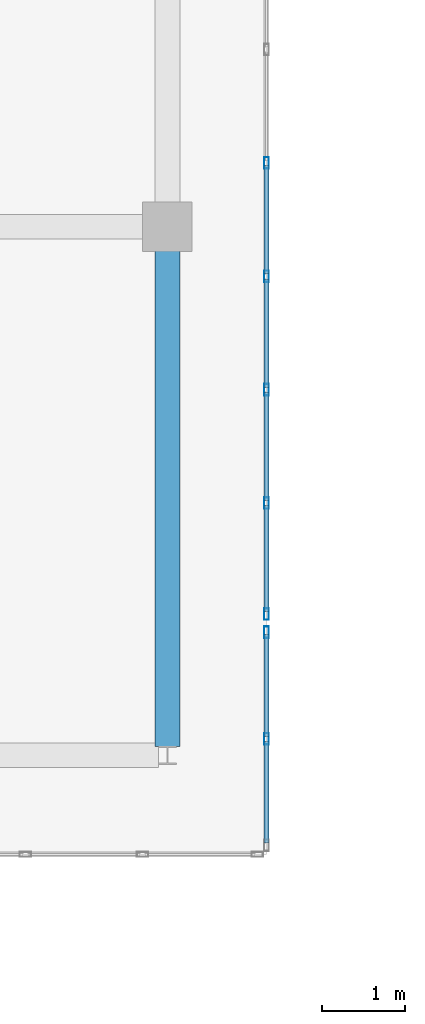
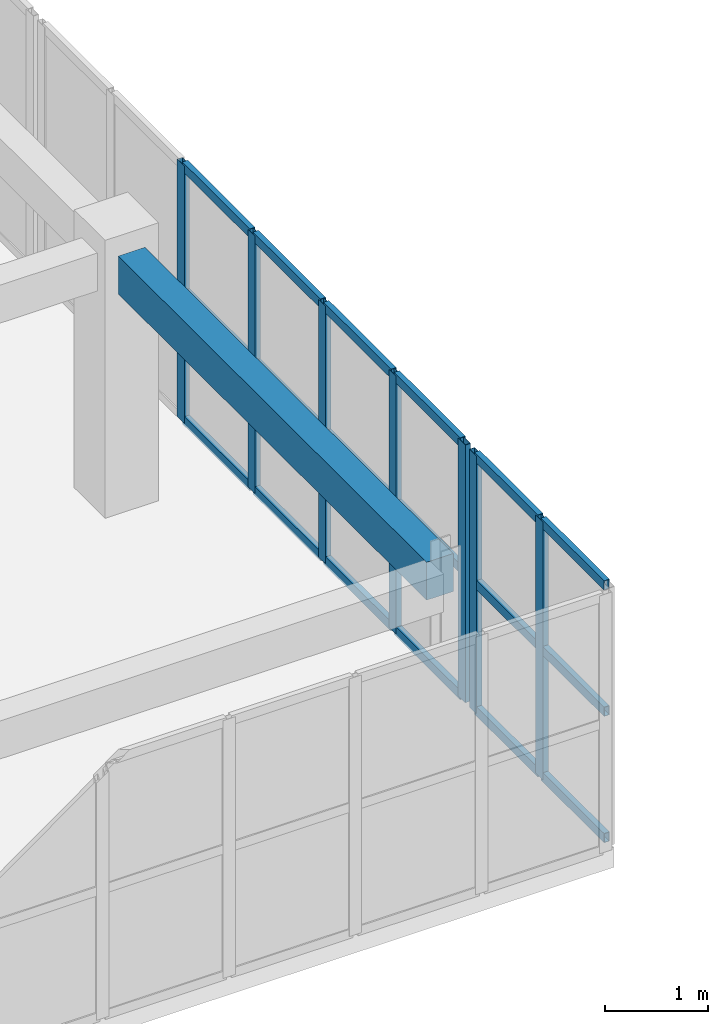
# One storey, part 69 of 200: 25 members, 1 beam, 2 elements without a shape of their own.
"""IFC4 building model written with IfcOpenShell, lengths in metres."""

from ifc_helpers import new_model, si_unit, direction, frame, origin, origin_2d, place, context, subcontext, project, spatial, rectangle, hollow_rectangle, extrude, material, layer, layer_set, material_profile, profile_set, type_object, element, aggregate, save


model = new_model("IFC4")

# Units and contexts
model_context = context("Model", 3, precision=1e-05, world=origin(), true_north=direction((0.0, 1.0)))
body_context = subcontext(model_context, "Body", "Model", "MODEL_VIEW")
ifc_project = project(units=[si_unit("LENGTHUNIT", "METRE"), si_unit("AREAUNIT", "SQUARE_METRE"), si_unit("VOLUMEUNIT", "CUBIC_METRE"), si_unit("PLANEANGLEUNIT", "RADIAN"), si_unit("MASSUNIT", "GRAM", prefix="KILO")], contexts=[model_context])

# Site, building, storey
site_placement = place(None, origin())
site = spatial("IfcSite", under=ifc_project, at=site_placement, CompositionType="ELEMENT")
building_placement = place(site_placement, origin())
building = spatial("IfcBuilding", under=site, at=building_placement, Name="Trelvath General Hospital", CompositionType="ELEMENT")
storey_placement = place(building_placement, frame((0.0, 0.0, 4.800048828125)))
storey = spatial("IfcBuildingStorey", under=building, at=storey_placement, Name="L01", CompositionType="ELEMENT", Elevation=4.800048828125)

# Beam
ifc_material_1 = material(Name="Concrete C35/45", Category="concrete")
ifc_material_profile_1 = material_profile(ifc_material_1, rectangle(XDim=0.300048828125, YDim=0.449951171875, at=origin_2d()), Name="RCB300x450")
ifc_profile_set_1 = profile_set([ifc_material_profile_1], Name="Concrete C35/45")
beam_type = type_object("IfcBeamType", Name="Beam RC300x450", PredefinedType="BEAM", material=ifc_profile_set_1)
beam_placement = place(storey_placement, frame((120.0, 32.10595703125, 2.8349609375), z_axis=(0.0, 1.0, 0.0), x_axis=(-1.0, 0.0, 0.0)))
element("IfcBeam", 1, at=beam_placement, inside=storey, type_object=beam_type, Name="Cube Interior Ring Beam CUBE-E-T0 L01", PredefinedType="BEAM", context=body_context, shape_type="SweptSolid", body=[
    extrude(rectangle(XDim=0.300048828125, YDim=0.449951171875, at=origin_2d()), origin(), (0.0, 0.0, 1.0), 5.998046875),
])

# Curtain wall, members
ifc_material_2 = material(Name="Anodised aluminium and low-E glass", Category="aluminium")
ifc_layer_1 = layer(ifc_material_2, 0.14990234375)
ifc_layer_set_1 = layer_set([ifc_layer_1], Name="Anodised aluminium and low-E glass")
curtain_wall_type_1 = type_object("IfcCurtainWallType", Name="CW CrystalCube 264 306 15", PredefinedType="USERDEFINED", material=ifc_layer_set_1)
curtain_wall_1_placement = place(storey_placement, origin())
curtain_wall_1 = element("IfcCurtainWall", 2, at=curtain_wall_1_placement, inside=storey, type_object=curtain_wall_type_1, Name="Crystal Cube Curtain Wall CUBE-E-T0 E1 L01", ObjectType="Unitised Glazed Curtain Wall", PredefinedType="USERDEFINED")
ifc_material_3 = material(Name="Anodised aluminium", Category="aluminium")
ifc_material_profile_2 = material_profile(ifc_material_3, hollow_rectangle(XDim=0.06005859375, YDim=0.139892578125, WallThickness=0.00390625, at=origin_2d()), Name="RHS60x140x4")
ifc_profile_set_2 = profile_set([ifc_material_profile_2], Name="Anodised aluminium")
member_type_1 = type_object("IfcMemberType", Name="CurtainMullion 60x140", PredefinedType="MULLION", material=ifc_profile_set_2)
member_1_placement = place(storey_placement, frame((121.199951171875, 33.489990234375, 0.0), z_axis=(0.0, 0.0, 1.0), x_axis=(1.0, 0.0, 0.0)))
member_1 = element("IfcMember", 3, at=member_1_placement, type_object=member_type_1, Name="CW-160 mullion 1", PredefinedType="MULLION", context=body_context, shape_type="SweptSolid", body=[
    extrude(hollow_rectangle(XDim=0.06005859375, YDim=0.139892578125, WallThickness=0.00390625, at=origin_2d()), origin(), (0.0, 0.0, 1.0), 3.06005859375),
])
member_2_placement = place(storey_placement, frame((121.199951171875, 32.199951171875, 0.0), z_axis=(0.0, 0.0, 1.0), x_axis=(1.0, 0.0, 0.0)))
member_2 = element("IfcMember", 4, at=member_2_placement, type_object=member_type_1, Name="CW-160 mullion 2", PredefinedType="MULLION", context=body_context, shape_type="SweptSolid", body=[
    extrude(hollow_rectangle(XDim=0.06005859375, YDim=0.139892578125, WallThickness=0.00390625, at=origin_2d()), origin(), (0.0, 0.0, 1.0), 3.06005859375),
])

ifc_material_4 = material(Name="Anodised aluminium and low-E glass", Category="aluminium")
ifc_layer_2 = layer(ifc_material_4, 0.14990234375)
ifc_layer_set_2 = layer_set([ifc_layer_2], Name="Anodised aluminium and low-E glass")
curtain_wall_type_2 = type_object("IfcCurtainWallType", Name="CW CrystalCube 824 306 15", PredefinedType="USERDEFINED", material=ifc_layer_set_2)
curtain_wall_2_placement = place(storey_placement, origin())
curtain_wall_2 = element("IfcCurtainWall", 5, at=curtain_wall_2_placement, inside=storey, type_object=curtain_wall_type_2, Name="Crystal Cube Curtain Wall CUBE-E-T0 E2 L01", ObjectType="Unitised Glazed Curtain Wall", PredefinedType="USERDEFINED")
member_3_placement = place(storey_placement, frame((121.199951171875, 39.17333984375, 0.0), z_axis=(0.0, 0.0, 1.0), x_axis=(1.0, 0.0, 0.0)))
member_3 = element("IfcMember", 6, at=member_3_placement, type_object=member_type_1, Name="CW-162 mullion 3", PredefinedType="MULLION", context=body_context, shape_type="SweptSolid", body=[
    extrude(hollow_rectangle(XDim=0.06005859375, YDim=0.139892578125, WallThickness=0.00390625, at=origin_2d()), origin(), (0.0, 0.0, 1.0), 3.06005859375),
])
member_4_placement = place(storey_placement, frame((121.199951171875, 37.800048828125, 0.0), z_axis=(0.0, 0.0, 1.0), x_axis=(1.0, 0.0, 0.0)))
member_4 = element("IfcMember", 7, at=member_4_placement, type_object=member_type_1, Name="CW-162 mullion 4", PredefinedType="MULLION", context=body_context, shape_type="SweptSolid", body=[
    extrude(hollow_rectangle(XDim=0.06005859375, YDim=0.139892578125, WallThickness=0.00390625, at=origin_2d()), origin(), (0.0, 0.0, 1.0), 3.06005859375),
])
member_5_placement = place(storey_placement, frame((121.199951171875, 36.4267578125, 0.0), z_axis=(0.0, 0.0, 1.0), x_axis=(1.0, 0.0, 0.0)))
member_5 = element("IfcMember", 8, at=member_5_placement, type_object=member_type_1, Name="CW-162 mullion 5", PredefinedType="MULLION", context=body_context, shape_type="SweptSolid", body=[
    extrude(hollow_rectangle(XDim=0.06005859375, YDim=0.139892578125, WallThickness=0.00390625, at=origin_2d()), origin(), (0.0, 0.0, 1.0), 3.06005859375),
])
member_6_placement = place(storey_placement, frame((121.199951171875, 35.05322265625, 0.0), z_axis=(0.0, 0.0, 1.0), x_axis=(1.0, 0.0, 0.0)))
member_6 = element("IfcMember", 9, at=member_6_placement, type_object=member_type_1, Name="CW-162 mullion 6", PredefinedType="MULLION", context=body_context, shape_type="SweptSolid", body=[
    extrude(hollow_rectangle(XDim=0.06005859375, YDim=0.139892578125, WallThickness=0.00390625, at=origin_2d()), origin(), (0.0, 0.0, 1.0), 3.06005859375),
])
member_7_placement = place(storey_placement, frame((121.199951171875, 33.7099609375, 0.0), z_axis=(0.0, 0.0, 1.0), x_axis=(1.0, 0.0, 0.0)))
member_7 = element("IfcMember", 10, at=member_7_placement, type_object=member_type_1, Name="CW-162 mullion 7", PredefinedType="MULLION", context=body_context, shape_type="SweptSolid", body=[
    extrude(hollow_rectangle(XDim=0.06005859375, YDim=0.139892578125, WallThickness=0.00390625, at=origin_2d()), origin(), (0.0, 0.0, 1.0), 3.06005859375),
])

# Member
ifc_material_5 = material(Name="Anodised aluminium", Category="aluminium")
ifc_material_profile_3 = material_profile(ifc_material_5, hollow_rectangle(XDim=0.06005859375, YDim=0.110107421875, WallThickness=0.00390625, at=origin_2d()), Name="RHS60x110x4")
ifc_profile_set_3 = profile_set([ifc_material_profile_3], Name="Anodised aluminium")
member_type_2 = type_object("IfcMemberType", Name="CurtainTransom 60x110", PredefinedType="USERDEFINED", material=ifc_profile_set_3)
member_8_placement = place(storey_placement, frame((121.199951171875, 33.4599609375, 0.030029296875), z_axis=(0.0, -1.0, 0.0), x_axis=(1.0, 0.0, 0.0)))
member_8 = element("IfcMember", 11, at=member_8_placement, type_object=member_type_2, Name="CW-160 transom 1.1", ObjectType="TRANSOM", PredefinedType="USERDEFINED", context=body_context, shape_type="SweptSolid", body=[
    extrude(hollow_rectangle(XDim=0.06005859375, YDim=0.110107421875, WallThickness=0.00390625, at=origin_2d()), origin(), (0.0, 0.0, 1.0), 1.22998046875),
])

member_9_placement = place(storey_placement, frame((121.199951171875, 33.4599609375, 1.530029296875), z_axis=(0.0, -1.0, 0.0), x_axis=(1.0, 0.0, 0.0)))
member_9 = element("IfcMember", 12, at=member_9_placement, type_object=member_type_2, Name="CW-160 transom 1.2", ObjectType="TRANSOM", PredefinedType="USERDEFINED", context=body_context, shape_type="SweptSolid", body=[
    extrude(hollow_rectangle(XDim=0.06005859375, YDim=0.110107421875, WallThickness=0.00390625, at=origin_2d()), origin(), (0.0, 0.0, 1.0), 1.22998046875),
])

member_10_placement = place(storey_placement, frame((121.199951171875, 33.4599609375, 3.030029296875), z_axis=(0.0, -1.0, 0.0), x_axis=(1.0, 0.0, 0.0)))
member_10 = element("IfcMember", 13, at=member_10_placement, type_object=member_type_2, Name="CW-160 transom 1.3", ObjectType="TRANSOM", PredefinedType="USERDEFINED", context=body_context, shape_type="SweptSolid", body=[
    extrude(hollow_rectangle(XDim=0.06005859375, YDim=0.110107421875, WallThickness=0.00390625, at=origin_2d()), origin(), (0.0, 0.0, 1.0), 1.22998046875),
])

member_11_placement = place(storey_placement, frame((121.199951171875, 32.169921875, 0.030029296875), z_axis=(0.0, -1.0, 0.0), x_axis=(1.0, 0.0, 0.0)))
member_11 = element("IfcMember", 14, at=member_11_placement, type_object=member_type_2, Name="CW-160 transom 2.1", ObjectType="TRANSOM", PredefinedType="USERDEFINED", context=body_context, shape_type="SweptSolid", body=[
    extrude(hollow_rectangle(XDim=0.06005859375, YDim=0.110107421875, WallThickness=0.00390625, at=origin_2d()), origin(), (0.0, 0.0, 1.0), 1.22998046875),
])

member_12_placement = place(storey_placement, frame((121.199951171875, 32.169921875, 1.530029296875), z_axis=(0.0, -1.0, 0.0), x_axis=(1.0, 0.0, 0.0)))
member_12 = element("IfcMember", 15, at=member_12_placement, type_object=member_type_2, Name="CW-160 transom 2.2", ObjectType="TRANSOM", PredefinedType="USERDEFINED", context=body_context, shape_type="SweptSolid", body=[
    extrude(hollow_rectangle(XDim=0.06005859375, YDim=0.110107421875, WallThickness=0.00390625, at=origin_2d()), origin(), (0.0, 0.0, 1.0), 1.22998046875),
])

member_13_placement = place(storey_placement, frame((121.199951171875, 32.169921875, 3.030029296875), z_axis=(0.0, -1.0, 0.0), x_axis=(1.0, 0.0, 0.0)))
member_13 = element("IfcMember", 16, at=member_13_placement, type_object=member_type_2, Name="CW-160 transom 2.3", ObjectType="TRANSOM", PredefinedType="USERDEFINED", context=body_context, shape_type="SweptSolid", body=[
    extrude(hollow_rectangle(XDim=0.06005859375, YDim=0.110107421875, WallThickness=0.00390625, at=origin_2d()), origin(), (0.0, 0.0, 1.0), 1.22998046875),
])

aggregate(curtain_wall_1, [member_1, member_2, member_8, member_9, member_10, member_11, member_12, member_13])

member_14_placement = place(storey_placement, frame((121.199951171875, 39.143310546875, 0.030029296875), z_axis=(0.0, -1.0, 0.0), x_axis=(1.0, 0.0, 0.0)))
member_14 = element("IfcMember", 17, at=member_14_placement, type_object=member_type_2, Name="CW-162 transom 3.1", ObjectType="TRANSOM", PredefinedType="USERDEFINED", context=body_context, shape_type="SweptSolid", body=[
    extrude(hollow_rectangle(XDim=0.06005859375, YDim=0.110107421875, WallThickness=0.00390625, at=origin_2d()), origin(), (0.0, 0.0, 1.0), 1.313232421875),
])

member_15_placement = place(storey_placement, frame((121.199951171875, 39.143310546875, 1.530029296875), z_axis=(0.0, -1.0, 0.0), x_axis=(1.0, 0.0, 0.0)))
member_15 = element("IfcMember", 18, at=member_15_placement, type_object=member_type_2, Name="CW-162 transom 3.2", ObjectType="TRANSOM", PredefinedType="USERDEFINED", context=body_context, shape_type="SweptSolid", body=[
    extrude(hollow_rectangle(XDim=0.06005859375, YDim=0.110107421875, WallThickness=0.00390625, at=origin_2d()), origin(), (0.0, 0.0, 1.0), 1.313232421875),
])

member_16_placement = place(storey_placement, frame((121.199951171875, 39.143310546875, 3.030029296875), z_axis=(0.0, -1.0, 0.0), x_axis=(1.0, 0.0, 0.0)))
member_16 = element("IfcMember", 19, at=member_16_placement, type_object=member_type_2, Name="CW-162 transom 3.3", ObjectType="TRANSOM", PredefinedType="USERDEFINED", context=body_context, shape_type="SweptSolid", body=[
    extrude(hollow_rectangle(XDim=0.06005859375, YDim=0.110107421875, WallThickness=0.00390625, at=origin_2d()), origin(), (0.0, 0.0, 1.0), 1.313232421875),
])

member_17_placement = place(storey_placement, frame((121.199951171875, 37.77001953125, 0.030029296875), z_axis=(0.0, -1.0, 0.0), x_axis=(1.0, 0.0, 0.0)))
member_17 = element("IfcMember", 20, at=member_17_placement, type_object=member_type_2, Name="CW-162 transom 4.1", ObjectType="TRANSOM", PredefinedType="USERDEFINED", context=body_context, shape_type="SweptSolid", body=[
    extrude(hollow_rectangle(XDim=0.06005859375, YDim=0.110107421875, WallThickness=0.00390625, at=origin_2d()), origin(), (0.0, 0.0, 1.0), 1.313232421875),
])

member_18_placement = place(storey_placement, frame((121.199951171875, 37.77001953125, 1.530029296875), z_axis=(0.0, -1.0, 0.0), x_axis=(1.0, 0.0, 0.0)))
member_18 = element("IfcMember", 21, at=member_18_placement, type_object=member_type_2, Name="CW-162 transom 4.2", ObjectType="TRANSOM", PredefinedType="USERDEFINED", context=body_context, shape_type="SweptSolid", body=[
    extrude(hollow_rectangle(XDim=0.06005859375, YDim=0.110107421875, WallThickness=0.00390625, at=origin_2d()), origin(), (0.0, 0.0, 1.0), 1.313232421875),
])

member_19_placement = place(storey_placement, frame((121.199951171875, 37.77001953125, 3.030029296875), z_axis=(0.0, -1.0, 0.0), x_axis=(1.0, 0.0, 0.0)))
member_19 = element("IfcMember", 22, at=member_19_placement, type_object=member_type_2, Name="CW-162 transom 4.3", ObjectType="TRANSOM", PredefinedType="USERDEFINED", context=body_context, shape_type="SweptSolid", body=[
    extrude(hollow_rectangle(XDim=0.06005859375, YDim=0.110107421875, WallThickness=0.00390625, at=origin_2d()), origin(), (0.0, 0.0, 1.0), 1.313232421875),
])

member_20_placement = place(storey_placement, frame((121.199951171875, 36.396728515625, 0.030029296875), z_axis=(0.0, -1.0, 0.0), x_axis=(1.0, 0.0, 0.0)))
member_20 = element("IfcMember", 23, at=member_20_placement, type_object=member_type_2, Name="CW-162 transom 5.1", ObjectType="TRANSOM", PredefinedType="USERDEFINED", context=body_context, shape_type="SweptSolid", body=[
    extrude(hollow_rectangle(XDim=0.06005859375, YDim=0.110107421875, WallThickness=0.00390625, at=origin_2d()), origin(), (0.0, 0.0, 1.0), 1.3134765625),
])

member_21_placement = place(storey_placement, frame((121.199951171875, 36.396728515625, 1.530029296875), z_axis=(0.0, -1.0, 0.0), x_axis=(1.0, 0.0, 0.0)))
member_21 = element("IfcMember", 24, at=member_21_placement, type_object=member_type_2, Name="CW-162 transom 5.2", ObjectType="TRANSOM", PredefinedType="USERDEFINED", context=body_context, shape_type="SweptSolid", body=[
    extrude(hollow_rectangle(XDim=0.06005859375, YDim=0.110107421875, WallThickness=0.00390625, at=origin_2d()), origin(), (0.0, 0.0, 1.0), 1.3134765625),
])

member_22_placement = place(storey_placement, frame((121.199951171875, 36.396728515625, 3.030029296875), z_axis=(0.0, -1.0, 0.0), x_axis=(1.0, 0.0, 0.0)))
member_22 = element("IfcMember", 25, at=member_22_placement, type_object=member_type_2, Name="CW-162 transom 5.3", ObjectType="TRANSOM", PredefinedType="USERDEFINED", context=body_context, shape_type="SweptSolid", body=[
    extrude(hollow_rectangle(XDim=0.06005859375, YDim=0.110107421875, WallThickness=0.00390625, at=origin_2d()), origin(), (0.0, 0.0, 1.0), 1.3134765625),
])

member_23_placement = place(storey_placement, frame((121.199951171875, 35.0234375, 0.030029296875), z_axis=(0.0, -1.0, 0.0), x_axis=(1.0, 0.0, 0.0)))
member_23 = element("IfcMember", 26, at=member_23_placement, type_object=member_type_2, Name="CW-162 transom 6.1", ObjectType="TRANSOM", PredefinedType="USERDEFINED", context=body_context, shape_type="SweptSolid", body=[
    extrude(hollow_rectangle(XDim=0.06005859375, YDim=0.110107421875, WallThickness=0.00390625, at=origin_2d()), origin(), (0.0, 0.0, 1.0), 1.283447265625),
])

member_24_placement = place(storey_placement, frame((121.199951171875, 35.0234375, 1.530029296875), z_axis=(0.0, -1.0, 0.0), x_axis=(1.0, 0.0, 0.0)))
member_24 = element("IfcMember", 27, at=member_24_placement, type_object=member_type_2, Name="CW-162 transom 6.2", ObjectType="TRANSOM", PredefinedType="USERDEFINED", context=body_context, shape_type="SweptSolid", body=[
    extrude(hollow_rectangle(XDim=0.06005859375, YDim=0.110107421875, WallThickness=0.00390625, at=origin_2d()), origin(), (0.0, 0.0, 1.0), 1.283447265625),
])

member_25_placement = place(storey_placement, frame((121.199951171875, 35.0234375, 3.030029296875), z_axis=(0.0, -1.0, 0.0), x_axis=(1.0, 0.0, 0.0)))
member_25 = element("IfcMember", 28, at=member_25_placement, type_object=member_type_2, Name="CW-162 transom 6.3", ObjectType="TRANSOM", PredefinedType="USERDEFINED", context=body_context, shape_type="SweptSolid", body=[
    extrude(hollow_rectangle(XDim=0.06005859375, YDim=0.110107421875, WallThickness=0.00390625, at=origin_2d()), origin(), (0.0, 0.0, 1.0), 1.283447265625),
])

aggregate(curtain_wall_2, [member_3, member_4, member_5, member_6, member_7, member_14, member_15, member_16, member_17, member_18, member_19, member_20, member_21, member_22, member_23, member_24, member_25])

save(model, "model.ifc")
